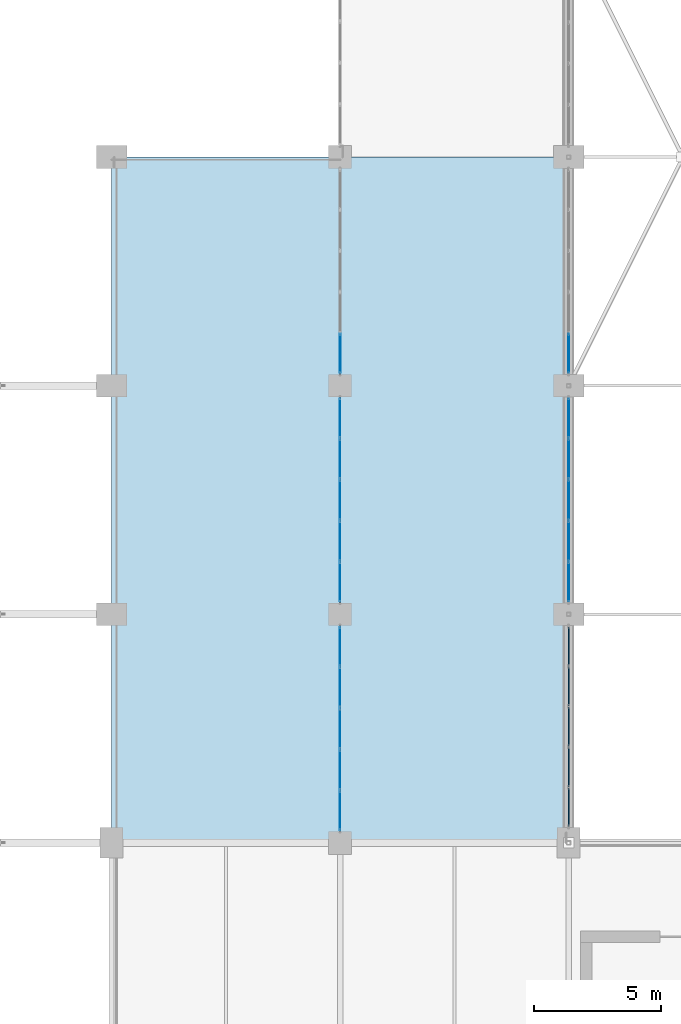
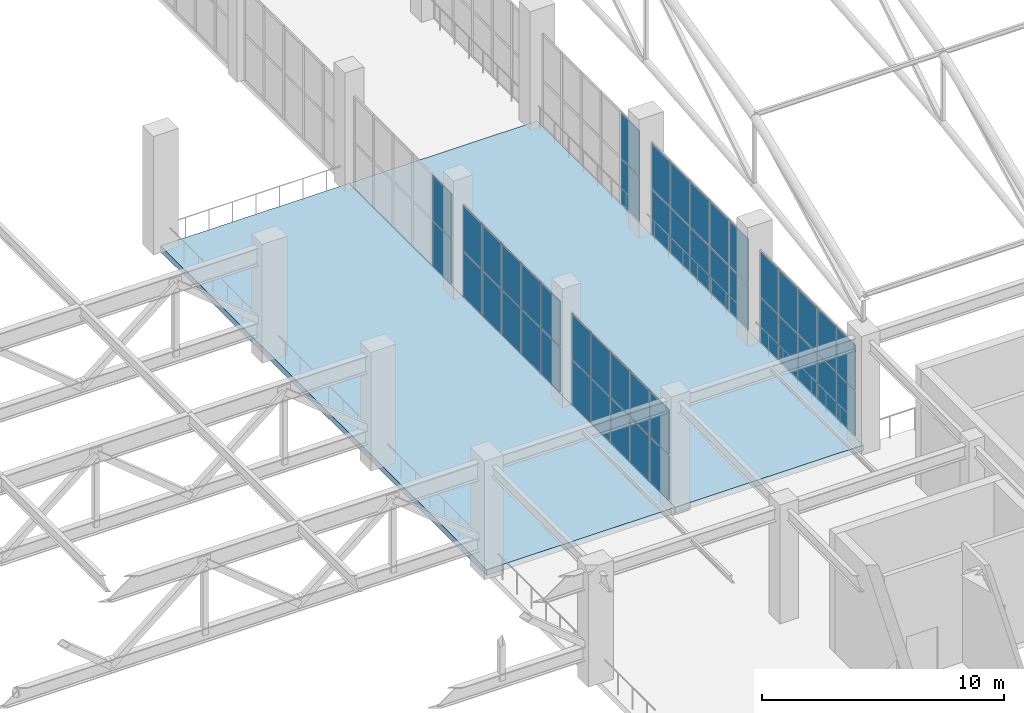
# One storey, part 172 of 223: 44 plates, 2 slabs, 6 elements without a shape of their own.
"""IFC4 building model written with IfcOpenShell, lengths in metres."""

from ifc_helpers import new_model, si_unit, direction, frame, origin, origin_2d, place, context, subcontext, project, spatial, polyline, rectangle, outline, extrude, material, layer, layer_set, type_object, element, aggregate, save


model = new_model("IFC4")

# Units and contexts
model_context = context("Model", 3, precision=1e-05, world=origin(), true_north=direction((0.0, 1.0)))
body_context = subcontext(model_context, "Body", "Model", "MODEL_VIEW")
ifc_project = project(units=[si_unit("LENGTHUNIT", "METRE"), si_unit("AREAUNIT", "SQUARE_METRE"), si_unit("VOLUMEUNIT", "CUBIC_METRE"), si_unit("PLANEANGLEUNIT", "RADIAN"), si_unit("MASSUNIT", "GRAM", prefix="KILO")], contexts=[model_context])

# Site, building, storey
site_placement = place(None, origin())
site = spatial("IfcSite", under=ifc_project, at=site_placement, CompositionType="ELEMENT")
building_placement = place(site_placement, origin())
building = spatial("IfcBuilding", under=site, at=building_placement, Name="Dornveld Trade and Exhibition Forum", CompositionType="ELEMENT")
storey_placement = place(building_placement, frame((0.0, 0.0, 6.0)))
storey = spatial("IfcBuildingStorey", under=building, at=storey_placement, Name="L01", CompositionType="ELEMENT", Elevation=6.0)

# Curtain wall, plates
ifc_material_1 = material(Name="Dark-bronze anodised aluminium and low-E glass", Category="aluminium")
ifc_layer_1 = layer(ifc_material_1, 0.172119140625)
ifc_layer_set_1 = layer_set([ifc_layer_1], Name="Dark-bronze anodised aluminium and low-E glass")
curtain_wall_type_1 = type_object("IfcCurtainWallType", Name="CW-SYS-10", PredefinedType="USERDEFINED", material=ifc_layer_set_1)
curtain_wall_1_placement = place(storey_placement, origin())
curtain_wall_1 = element("IfcCurtainWall", 1, at=curtain_wall_1_placement, inside=storey, type_object=curtain_wall_type_1, Name="L01 unitised curtain wall 10", ObjectType="UNITISED_CURTAIN_WALL", PredefinedType="USERDEFINED")
ifc_material_2 = material(Name="Double-glazed low-E solar control glass", Category="glass")
ifc_layer_2 = layer(ifc_material_2, 0.028076171875)
ifc_layer_set_2 = layer_set([ifc_layer_2], Name="Double-glazed low-E solar control glass")
plate_type_1 = type_object("IfcPlateType", Name="CW-PNL-02", PredefinedType="CURTAIN_PANEL", material=ifc_layer_set_2)
plate_1_placement = place(storey_placement, frame((99.0, 124.728271484375, 0.05615234375), z_axis=(0.0, 0.0, 1.0), x_axis=(0.0, -1.0, 0.0)))
plate_1 = element("IfcPlate", 2, at=plate_1_placement, type_object=plate_type_1, Name="CW-10 panel 1.1", PredefinedType="CURTAIN_PANEL", context=body_context, shape_type="SweptSolid", body=[
    extrude(rectangle(XDim=1.531494140625, YDim=0.028076171875, at=origin_2d()), origin(), (0.0, 0.0, 1.0), 2.261962890625),
])
plate_2_placement = place(storey_placement, frame((99.0, 124.728271484375, 2.3779296875), z_axis=(0.0, 0.0, 1.0), x_axis=(0.0, -1.0, 0.0)))
plate_2 = element("IfcPlate", 3, at=plate_2_placement, type_object=plate_type_1, Name="CW-10 panel 1.2", PredefinedType="CURTAIN_PANEL", context=body_context, shape_type="SweptSolid", body=[
    extrude(rectangle(XDim=1.531494140625, YDim=0.028076171875, at=origin_2d()), origin(), (0.0, 0.0, 1.0), 2.261962890625),
])
plate_3_placement = place(storey_placement, frame((99.0, 123.12158203125, 0.05615234375), z_axis=(0.0, 0.0, 1.0), x_axis=(0.0, -1.0, 0.0)))
plate_3 = element("IfcPlate", 4, at=plate_3_placement, type_object=plate_type_1, Name="CW-10 panel 2.1", PredefinedType="CURTAIN_PANEL", context=body_context, shape_type="SweptSolid", body=[
    extrude(rectangle(XDim=1.5615234375, YDim=0.028076171875, at=origin_2d()), origin(), (0.0, 0.0, 1.0), 2.261962890625),
])
plate_4_placement = place(storey_placement, frame((99.0, 123.12158203125, 2.3779296875), z_axis=(0.0, 0.0, 1.0), x_axis=(0.0, -1.0, 0.0)))
plate_4 = element("IfcPlate", 5, at=plate_4_placement, type_object=plate_type_1, Name="CW-10 panel 2.2", PredefinedType="CURTAIN_PANEL", context=body_context, shape_type="SweptSolid", body=[
    extrude(rectangle(XDim=1.5615234375, YDim=0.028076171875, at=origin_2d()), origin(), (0.0, 0.0, 1.0), 2.261962890625),
])
plate_5_placement = place(storey_placement, frame((99.0, 121.5, 0.05615234375), z_axis=(0.0, 0.0, 1.0), x_axis=(0.0, -1.0, 0.0)))
plate_5 = element("IfcPlate", 6, at=plate_5_placement, type_object=plate_type_1, Name="CW-10 panel 3.1", PredefinedType="CURTAIN_PANEL", context=body_context, shape_type="SweptSolid", body=[
    extrude(rectangle(XDim=1.5615234375, YDim=0.028076171875, at=origin_2d()), origin(), (0.0, 0.0, 1.0), 2.261962890625),
])
plate_6_placement = place(storey_placement, frame((99.0, 121.5, 2.3779296875), z_axis=(0.0, 0.0, 1.0), x_axis=(0.0, -1.0, 0.0)))
plate_6 = element("IfcPlate", 7, at=plate_6_placement, type_object=plate_type_1, Name="CW-10 panel 3.2", PredefinedType="CURTAIN_PANEL", context=body_context, shape_type="SweptSolid", body=[
    extrude(rectangle(XDim=1.5615234375, YDim=0.028076171875, at=origin_2d()), origin(), (0.0, 0.0, 1.0), 2.261962890625),
])
plate_7_placement = place(storey_placement, frame((99.0, 119.87841796875, 0.05615234375), z_axis=(0.0, 0.0, 1.0), x_axis=(0.0, -1.0, 0.0)))
plate_7 = element("IfcPlate", 8, at=plate_7_placement, type_object=plate_type_1, Name="CW-10 panel 4.1", PredefinedType="CURTAIN_PANEL", context=body_context, shape_type="SweptSolid", body=[
    extrude(rectangle(XDim=1.5615234375, YDim=0.028076171875, at=origin_2d()), origin(), (0.0, 0.0, 1.0), 2.261962890625),
])
plate_8_placement = place(storey_placement, frame((99.0, 119.87841796875, 2.3779296875), z_axis=(0.0, 0.0, 1.0), x_axis=(0.0, -1.0, 0.0)))
plate_8 = element("IfcPlate", 9, at=plate_8_placement, type_object=plate_type_1, Name="CW-10 panel 4.2", PredefinedType="CURTAIN_PANEL", context=body_context, shape_type="SweptSolid", body=[
    extrude(rectangle(XDim=1.5615234375, YDim=0.028076171875, at=origin_2d()), origin(), (0.0, 0.0, 1.0), 2.261962890625),
])
plate_9_placement = place(storey_placement, frame((99.0, 118.271728515625, 0.05615234375), z_axis=(0.0, 0.0, 1.0), x_axis=(0.0, -1.0, 0.0)))
plate_9 = element("IfcPlate", 10, at=plate_9_placement, type_object=plate_type_1, Name="CW-10 panel 5.1", PredefinedType="CURTAIN_PANEL", context=body_context, shape_type="SweptSolid", body=[
    extrude(rectangle(XDim=1.531494140625, YDim=0.028076171875, at=origin_2d()), origin(), (0.0, 0.0, 1.0), 2.261962890625),
])
plate_10_placement = place(storey_placement, frame((99.0, 118.271728515625, 2.3779296875), z_axis=(0.0, 0.0, 1.0), x_axis=(0.0, -1.0, 0.0)))
plate_10 = element("IfcPlate", 11, at=plate_10_placement, type_object=plate_type_1, Name="CW-10 panel 5.2", PredefinedType="CURTAIN_PANEL", context=body_context, shape_type="SweptSolid", body=[
    extrude(rectangle(XDim=1.531494140625, YDim=0.028076171875, at=origin_2d()), origin(), (0.0, 0.0, 1.0), 2.261962890625),
])
aggregate(curtain_wall_1, [plate_1, plate_2, plate_3, plate_4, plate_5, plate_6, plate_7, plate_8, plate_9, plate_10])

ifc_material_3 = material(Name="Dark-bronze anodised aluminium and low-E glass", Category="aluminium")
ifc_layer_3 = layer(ifc_material_3, 0.14794921875)
ifc_layer_set_3 = layer_set([ifc_layer_3], Name="Dark-bronze anodised aluminium and low-E glass")
curtain_wall_type_2 = type_object("IfcCurtainWallType", Name="CW-SYS-02", PredefinedType="USERDEFINED", material=ifc_layer_set_3)
curtain_wall_2_placement = place(storey_placement, origin())
curtain_wall_2 = element("IfcCurtainWall", 12, at=curtain_wall_2_placement, inside=storey, type_object=curtain_wall_type_2, Name="L01 unitised curtain wall 146", ObjectType="UNITISED_CURTAIN_WALL", PredefinedType="USERDEFINED")
plate_11_placement = place(storey_placement, frame((90.0, 115.728271484375, 0.05615234375), z_axis=(0.0, 0.0, 1.0), x_axis=(0.0, -1.0, 0.0)))
plate_11 = element("IfcPlate", 13, at=plate_11_placement, type_object=plate_type_1, Name="CW-02 panel 1.1", PredefinedType="CURTAIN_PANEL", context=body_context, shape_type="SweptSolid", body=[
    extrude(rectangle(XDim=1.531494140625, YDim=0.028076171875, at=origin_2d()), origin(), (0.0, 0.0, 1.0), 2.261962890625),
])
plate_12_placement = place(storey_placement, frame((90.0, 115.728271484375, 2.3779296875), z_axis=(0.0, 0.0, 1.0), x_axis=(0.0, -1.0, 0.0)))
plate_12 = element("IfcPlate", 14, at=plate_12_placement, type_object=plate_type_1, Name="CW-02 panel 1.2", PredefinedType="CURTAIN_PANEL", context=body_context, shape_type="SweptSolid", body=[
    extrude(rectangle(XDim=1.531494140625, YDim=0.028076171875, at=origin_2d()), origin(), (0.0, 0.0, 1.0), 2.261962890625),
])
plate_13_placement = place(storey_placement, frame((90.0, 114.12158203125, 0.05615234375), z_axis=(0.0, 0.0, 1.0), x_axis=(0.0, -1.0, 0.0)))
plate_13 = element("IfcPlate", 15, at=plate_13_placement, type_object=plate_type_1, Name="CW-02 panel 2.1", PredefinedType="CURTAIN_PANEL", context=body_context, shape_type="SweptSolid", body=[
    extrude(rectangle(XDim=1.5615234375, YDim=0.028076171875, at=origin_2d()), origin(), (0.0, 0.0, 1.0), 2.261962890625),
])
plate_14_placement = place(storey_placement, frame((90.0, 114.12158203125, 2.3779296875), z_axis=(0.0, 0.0, 1.0), x_axis=(0.0, -1.0, 0.0)))
plate_14 = element("IfcPlate", 16, at=plate_14_placement, type_object=plate_type_1, Name="CW-02 panel 2.2", PredefinedType="CURTAIN_PANEL", context=body_context, shape_type="SweptSolid", body=[
    extrude(rectangle(XDim=1.5615234375, YDim=0.028076171875, at=origin_2d()), origin(), (0.0, 0.0, 1.0), 2.261962890625),
])
plate_15_placement = place(storey_placement, frame((90.0, 112.5, 0.05615234375), z_axis=(0.0, 0.0, 1.0), x_axis=(0.0, -1.0, 0.0)))
plate_15 = element("IfcPlate", 17, at=plate_15_placement, type_object=plate_type_1, Name="CW-02 panel 3.1", PredefinedType="CURTAIN_PANEL", context=body_context, shape_type="SweptSolid", body=[
    extrude(rectangle(XDim=1.5615234375, YDim=0.028076171875, at=origin_2d()), origin(), (0.0, 0.0, 1.0), 2.261962890625),
])
plate_16_placement = place(storey_placement, frame((90.0, 112.5, 2.3779296875), z_axis=(0.0, 0.0, 1.0), x_axis=(0.0, -1.0, 0.0)))
plate_16 = element("IfcPlate", 18, at=plate_16_placement, type_object=plate_type_1, Name="CW-02 panel 3.2", PredefinedType="CURTAIN_PANEL", context=body_context, shape_type="SweptSolid", body=[
    extrude(rectangle(XDim=1.5615234375, YDim=0.028076171875, at=origin_2d()), origin(), (0.0, 0.0, 1.0), 2.261962890625),
])
plate_17_placement = place(storey_placement, frame((90.0, 110.87841796875, 0.05615234375), z_axis=(0.0, 0.0, 1.0), x_axis=(0.0, -1.0, 0.0)))
plate_17 = element("IfcPlate", 19, at=plate_17_placement, type_object=plate_type_1, Name="CW-02 panel 4.1", PredefinedType="CURTAIN_PANEL", context=body_context, shape_type="SweptSolid", body=[
    extrude(rectangle(XDim=1.5615234375, YDim=0.028076171875, at=origin_2d()), origin(), (0.0, 0.0, 1.0), 2.261962890625),
])
plate_18_placement = place(storey_placement, frame((90.0, 110.87841796875, 2.3779296875), z_axis=(0.0, 0.0, 1.0), x_axis=(0.0, -1.0, 0.0)))
plate_18 = element("IfcPlate", 20, at=plate_18_placement, type_object=plate_type_1, Name="CW-02 panel 4.2", PredefinedType="CURTAIN_PANEL", context=body_context, shape_type="SweptSolid", body=[
    extrude(rectangle(XDim=1.5615234375, YDim=0.028076171875, at=origin_2d()), origin(), (0.0, 0.0, 1.0), 2.261962890625),
])
plate_19_placement = place(storey_placement, frame((90.0, 109.271728515625, 0.05615234375), z_axis=(0.0, 0.0, 1.0), x_axis=(0.0, -1.0, 0.0)))
plate_19 = element("IfcPlate", 21, at=plate_19_placement, type_object=plate_type_1, Name="CW-02 panel 5.1", PredefinedType="CURTAIN_PANEL", context=body_context, shape_type="SweptSolid", body=[
    extrude(rectangle(XDim=1.531494140625, YDim=0.028076171875, at=origin_2d()), origin(), (0.0, 0.0, 1.0), 2.261962890625),
])
plate_20_placement = place(storey_placement, frame((90.0, 109.271728515625, 2.3779296875), z_axis=(0.0, 0.0, 1.0), x_axis=(0.0, -1.0, 0.0)))
plate_20 = element("IfcPlate", 22, at=plate_20_placement, type_object=plate_type_1, Name="CW-02 panel 5.2", PredefinedType="CURTAIN_PANEL", context=body_context, shape_type="SweptSolid", body=[
    extrude(rectangle(XDim=1.531494140625, YDim=0.028076171875, at=origin_2d()), origin(), (0.0, 0.0, 1.0), 2.261962890625),
])
aggregate(curtain_wall_2, [plate_11, plate_12, plate_13, plate_14, plate_15, plate_16, plate_17, plate_18, plate_19, plate_20])

ifc_material_4 = material(Name="Dark-bronze anodised aluminium and low-E glass", Category="aluminium")
ifc_layer_4 = layer(ifc_material_4, 0.15087890625)
ifc_layer_set_4 = layer_set([ifc_layer_4], Name="Dark-bronze anodised aluminium and low-E glass")
curtain_wall_type_3 = type_object("IfcCurtainWallType", Name="CW-SYS-03", PredefinedType="USERDEFINED", material=ifc_layer_set_4)
curtain_wall_3_placement = place(storey_placement, origin())
curtain_wall_3 = element("IfcCurtainWall", 23, at=curtain_wall_3_placement, inside=storey, type_object=curtain_wall_type_3, Name="L01 unitised curtain wall 147", ObjectType="UNITISED_CURTAIN_WALL", PredefinedType="USERDEFINED")
ifc_material_5 = material(Name="Double-glazed low-E solar control glass", Category="glass")
ifc_layer_5 = layer(ifc_material_5, 0.030029296875)
ifc_layer_set_5 = layer_set([ifc_layer_5], Name="Double-glazed low-E solar control glass")
plate_type_2 = type_object("IfcPlateType", Name="CW-PNL-03", PredefinedType="CURTAIN_PANEL", material=ifc_layer_set_5)
plate_21_placement = place(storey_placement, frame((90.0, 124.728271484375, 0.05615234375), z_axis=(0.0, 0.0, 1.0), x_axis=(0.0, -1.0, 0.0)))
plate_21 = element("IfcPlate", 24, at=plate_21_placement, type_object=plate_type_2, Name="CW-03 panel 1.1", PredefinedType="CURTAIN_PANEL", context=body_context, shape_type="SweptSolid", body=[
    extrude(rectangle(XDim=1.531494140625, YDim=0.030029296875, at=origin_2d()), origin(), (0.0, 0.0, 1.0), 2.261962890625),
])
plate_22_placement = place(storey_placement, frame((90.0, 124.728271484375, 2.3779296875), z_axis=(0.0, 0.0, 1.0), x_axis=(0.0, -1.0, 0.0)))
plate_22 = element("IfcPlate", 25, at=plate_22_placement, type_object=plate_type_2, Name="CW-03 panel 1.2", PredefinedType="CURTAIN_PANEL", context=body_context, shape_type="SweptSolid", body=[
    extrude(rectangle(XDim=1.531494140625, YDim=0.030029296875, at=origin_2d()), origin(), (0.0, 0.0, 1.0), 2.261962890625),
])
plate_23_placement = place(storey_placement, frame((90.0, 123.12158203125, 0.05615234375), z_axis=(0.0, 0.0, 1.0), x_axis=(0.0, -1.0, 0.0)))
plate_23 = element("IfcPlate", 26, at=plate_23_placement, type_object=plate_type_2, Name="CW-03 panel 2.1", PredefinedType="CURTAIN_PANEL", context=body_context, shape_type="SweptSolid", body=[
    extrude(rectangle(XDim=1.5615234375, YDim=0.030029296875, at=origin_2d()), origin(), (0.0, 0.0, 1.0), 2.261962890625),
])
plate_24_placement = place(storey_placement, frame((90.0, 123.12158203125, 2.3779296875), z_axis=(0.0, 0.0, 1.0), x_axis=(0.0, -1.0, 0.0)))
plate_24 = element("IfcPlate", 27, at=plate_24_placement, type_object=plate_type_2, Name="CW-03 panel 2.2", PredefinedType="CURTAIN_PANEL", context=body_context, shape_type="SweptSolid", body=[
    extrude(rectangle(XDim=1.5615234375, YDim=0.030029296875, at=origin_2d()), origin(), (0.0, 0.0, 1.0), 2.261962890625),
])
plate_25_placement = place(storey_placement, frame((90.0, 121.5, 0.05615234375), z_axis=(0.0, 0.0, 1.0), x_axis=(0.0, -1.0, 0.0)))
plate_25 = element("IfcPlate", 28, at=plate_25_placement, type_object=plate_type_2, Name="CW-03 panel 3.1", PredefinedType="CURTAIN_PANEL", context=body_context, shape_type="SweptSolid", body=[
    extrude(rectangle(XDim=1.5615234375, YDim=0.030029296875, at=origin_2d()), origin(), (0.0, 0.0, 1.0), 2.261962890625),
])
plate_26_placement = place(storey_placement, frame((90.0, 121.5, 2.3779296875), z_axis=(0.0, 0.0, 1.0), x_axis=(0.0, -1.0, 0.0)))
plate_26 = element("IfcPlate", 29, at=plate_26_placement, type_object=plate_type_2, Name="CW-03 panel 3.2", PredefinedType="CURTAIN_PANEL", context=body_context, shape_type="SweptSolid", body=[
    extrude(rectangle(XDim=1.5615234375, YDim=0.030029296875, at=origin_2d()), origin(), (0.0, 0.0, 1.0), 2.261962890625),
])
plate_27_placement = place(storey_placement, frame((90.0, 119.87841796875, 0.05615234375), z_axis=(0.0, 0.0, 1.0), x_axis=(0.0, -1.0, 0.0)))
plate_27 = element("IfcPlate", 30, at=plate_27_placement, type_object=plate_type_2, Name="CW-03 panel 4.1", PredefinedType="CURTAIN_PANEL", context=body_context, shape_type="SweptSolid", body=[
    extrude(rectangle(XDim=1.5615234375, YDim=0.030029296875, at=origin_2d()), origin(), (0.0, 0.0, 1.0), 2.261962890625),
])
plate_28_placement = place(storey_placement, frame((90.0, 119.87841796875, 2.3779296875), z_axis=(0.0, 0.0, 1.0), x_axis=(0.0, -1.0, 0.0)))
plate_28 = element("IfcPlate", 31, at=plate_28_placement, type_object=plate_type_2, Name="CW-03 panel 4.2", PredefinedType="CURTAIN_PANEL", context=body_context, shape_type="SweptSolid", body=[
    extrude(rectangle(XDim=1.5615234375, YDim=0.030029296875, at=origin_2d()), origin(), (0.0, 0.0, 1.0), 2.261962890625),
])
plate_29_placement = place(storey_placement, frame((90.0, 118.271728515625, 0.05615234375), z_axis=(0.0, 0.0, 1.0), x_axis=(0.0, -1.0, 0.0)))
plate_29 = element("IfcPlate", 32, at=plate_29_placement, type_object=plate_type_2, Name="CW-03 panel 5.1", PredefinedType="CURTAIN_PANEL", context=body_context, shape_type="SweptSolid", body=[
    extrude(rectangle(XDim=1.531494140625, YDim=0.030029296875, at=origin_2d()), origin(), (0.0, 0.0, 1.0), 2.261962890625),
])
plate_30_placement = place(storey_placement, frame((90.0, 118.271728515625, 2.3779296875), z_axis=(0.0, 0.0, 1.0), x_axis=(0.0, -1.0, 0.0)))
plate_30 = element("IfcPlate", 33, at=plate_30_placement, type_object=plate_type_2, Name="CW-03 panel 5.2", PredefinedType="CURTAIN_PANEL", context=body_context, shape_type="SweptSolid", body=[
    extrude(rectangle(XDim=1.531494140625, YDim=0.030029296875, at=origin_2d()), origin(), (0.0, 0.0, 1.0), 2.261962890625),
])
aggregate(curtain_wall_3, [plate_21, plate_22, plate_23, plate_24, plate_25, plate_26, plate_27, plate_28, plate_29, plate_30])

ifc_material_6 = material(Name="Dark-bronze anodised aluminium and low-E glass", Category="aluminium")
ifc_layer_6 = layer(ifc_material_6, 0.177978515625)
ifc_layer_set_6 = layer_set([ifc_layer_6], Name="Dark-bronze anodised aluminium and low-E glass")
curtain_wall_type_4 = type_object("IfcCurtainWallType", Name="CW-SYS-12", PredefinedType="USERDEFINED", material=ifc_layer_set_6)
curtain_wall_4_placement = place(storey_placement, origin())
curtain_wall_4 = element("IfcCurtainWall", 34, at=curtain_wall_4_placement, inside=storey, type_object=curtain_wall_type_4, Name="L01 unitised curtain wall 12", ObjectType="UNITISED_CURTAIN_WALL", PredefinedType="USERDEFINED")
ifc_material_7 = material(Name="Double-glazed low-E solar control glass", Category="glass")
ifc_layer_7 = layer(ifc_material_7, 0.031982421875)
ifc_layer_set_7 = layer_set([ifc_layer_7], Name="Double-glazed low-E solar control glass")
plate_type_3 = type_object("IfcPlateType", Name="CW-PNL-04", PredefinedType="CURTAIN_PANEL", material=ifc_layer_set_7)
plate_31_placement = place(storey_placement, frame((99.0, 127.271728515625, 0.05615234375), z_axis=(0.0, 0.0, 1.0), x_axis=(0.0, -1.0, 0.0)))
plate_31 = element("IfcPlate", 35, at=plate_31_placement, type_object=plate_type_3, Name="CW-12 panel 5.1", PredefinedType="CURTAIN_PANEL", context=body_context, shape_type="SweptSolid", body=[
    extrude(rectangle(XDim=1.531494140625, YDim=0.031982421875, at=origin_2d()), origin(), (0.0, 0.0, 1.0), 2.261962890625),
])
plate_32_placement = place(storey_placement, frame((99.0, 127.271728515625, 2.3779296875), z_axis=(0.0, 0.0, 1.0), x_axis=(0.0, -1.0, 0.0)))
plate_32 = element("IfcPlate", 36, at=plate_32_placement, type_object=plate_type_3, Name="CW-12 panel 5.2", PredefinedType="CURTAIN_PANEL", context=body_context, shape_type="SweptSolid", body=[
    extrude(rectangle(XDim=1.531494140625, YDim=0.031982421875, at=origin_2d()), origin(), (0.0, 0.0, 1.0), 2.261962890625),
])
aggregate(curtain_wall_4, [plate_31, plate_32])

ifc_material_8 = material(Name="Dark-bronze anodised aluminium and low-E glass", Category="aluminium")
ifc_layer_8 = layer(ifc_material_8, 0.154052734375)
ifc_layer_set_8 = layer_set([ifc_layer_8], Name="Dark-bronze anodised aluminium and low-E glass")
curtain_wall_type_5 = type_object("IfcCurtainWallType", Name="CW-SYS-04", PredefinedType="USERDEFINED", material=ifc_layer_set_8)
curtain_wall_5_placement = place(storey_placement, origin())
curtain_wall_5 = element("IfcCurtainWall", 37, at=curtain_wall_5_placement, inside=storey, type_object=curtain_wall_type_5, Name="L01 unitised curtain wall 148", ObjectType="UNITISED_CURTAIN_WALL", PredefinedType="USERDEFINED")
plate_33_placement = place(storey_placement, frame((90.0, 127.271728515625, 0.05615234375), z_axis=(0.0, 0.0, 1.0), x_axis=(0.0, -1.0, 0.0)))
plate_33 = element("IfcPlate", 38, at=plate_33_placement, type_object=plate_type_3, Name="CW-04 panel 5.1", PredefinedType="CURTAIN_PANEL", context=body_context, shape_type="SweptSolid", body=[
    extrude(rectangle(XDim=1.531494140625, YDim=0.031982421875, at=origin_2d()), origin(), (0.0, 0.0, 1.0), 2.261962890625),
])
plate_34_placement = place(storey_placement, frame((90.0, 127.271728515625, 2.3779296875), z_axis=(0.0, 0.0, 1.0), x_axis=(0.0, -1.0, 0.0)))
plate_34 = element("IfcPlate", 39, at=plate_34_placement, type_object=plate_type_3, Name="CW-04 panel 5.2", PredefinedType="CURTAIN_PANEL", context=body_context, shape_type="SweptSolid", body=[
    extrude(rectangle(XDim=1.531494140625, YDim=0.031982421875, at=origin_2d()), origin(), (0.0, 0.0, 1.0), 2.261962890625),
])
aggregate(curtain_wall_5, [plate_33, plate_34])

ifc_material_9 = material(Name="Dark-bronze anodised aluminium and low-E glass", Category="aluminium")
ifc_layer_9 = layer(ifc_material_9, 0.166015625)
ifc_layer_set_9 = layer_set([ifc_layer_9], Name="Dark-bronze anodised aluminium and low-E glass")
curtain_wall_type_6 = type_object("IfcCurtainWallType", Name="CW-SYS-08", PredefinedType="USERDEFINED", material=ifc_layer_set_9)
curtain_wall_6_placement = place(storey_placement, origin())
curtain_wall_6 = element("IfcCurtainWall", 40, at=curtain_wall_6_placement, inside=storey, type_object=curtain_wall_type_6, Name="L01 unitised curtain wall 8", ObjectType="UNITISED_CURTAIN_WALL", PredefinedType="USERDEFINED")
ifc_material_10 = material(Name="Double-glazed low-E solar control glass", Category="glass")
ifc_layer_10 = layer(ifc_material_10, 0.0400390625)
ifc_layer_set_10 = layer_set([ifc_layer_10], Name="Double-glazed low-E solar control glass")
plate_type_4 = type_object("IfcPlateType", Name="CW-PNL-08", PredefinedType="CURTAIN_PANEL", material=ifc_layer_set_10)
plate_35_placement = place(storey_placement, frame((99.0, 115.7431640625, 0.05615234375), z_axis=(0.0, 0.0, 1.0), x_axis=(0.0, -1.0, 0.0)))
plate_35 = element("IfcPlate", 41, at=plate_35_placement, type_object=plate_type_4, Name="CW-08 panel 1.1", PredefinedType="CURTAIN_PANEL", context=body_context, shape_type="SweptSolid", body=[
    extrude(rectangle(XDim=1.501708984375, YDim=0.0400390625, at=origin_2d()), origin(), (0.0, 0.0, 1.0), 2.261962890625),
])
plate_36_placement = place(storey_placement, frame((99.0, 115.7431640625, 2.3779296875), z_axis=(0.0, 0.0, 1.0), x_axis=(0.0, -1.0, 0.0)))
plate_36 = element("IfcPlate", 42, at=plate_36_placement, type_object=plate_type_4, Name="CW-08 panel 1.2", PredefinedType="CURTAIN_PANEL", context=body_context, shape_type="SweptSolid", body=[
    extrude(rectangle(XDim=1.501708984375, YDim=0.0400390625, at=origin_2d()), origin(), (0.0, 0.0, 1.0), 2.261962890625),
])
plate_37_placement = place(storey_placement, frame((99.0, 114.16650390625, 0.05615234375), z_axis=(0.0, 0.0, 1.0), x_axis=(0.0, -1.0, 0.0)))
plate_37 = element("IfcPlate", 43, at=plate_37_placement, type_object=plate_type_4, Name="CW-08 panel 2.1", PredefinedType="CURTAIN_PANEL", context=body_context, shape_type="SweptSolid", body=[
    extrude(rectangle(XDim=1.531494140625, YDim=0.0400390625, at=origin_2d()), origin(), (0.0, 0.0, 1.0), 2.261962890625),
])
plate_38_placement = place(storey_placement, frame((99.0, 114.16650390625, 2.3779296875), z_axis=(0.0, 0.0, 1.0), x_axis=(0.0, -1.0, 0.0)))
plate_38 = element("IfcPlate", 44, at=plate_38_placement, type_object=plate_type_4, Name="CW-08 panel 2.2", PredefinedType="CURTAIN_PANEL", context=body_context, shape_type="SweptSolid", body=[
    extrude(rectangle(XDim=1.531494140625, YDim=0.0400390625, at=origin_2d()), origin(), (0.0, 0.0, 1.0), 2.261962890625),
])
plate_39_placement = place(storey_placement, frame((99.0, 112.574951171875, 0.05615234375), z_axis=(0.0, 0.0, 1.0), x_axis=(0.0, -1.0, 0.0)))
plate_39 = element("IfcPlate", 45, at=plate_39_placement, type_object=plate_type_4, Name="CW-08 panel 3.1", PredefinedType="CURTAIN_PANEL", context=body_context, shape_type="SweptSolid", body=[
    extrude(rectangle(XDim=1.531494140625, YDim=0.0400390625, at=origin_2d()), origin(), (0.0, 0.0, 1.0), 2.261962890625),
])
plate_40_placement = place(storey_placement, frame((99.0, 112.574951171875, 2.3779296875), z_axis=(0.0, 0.0, 1.0), x_axis=(0.0, -1.0, 0.0)))
plate_40 = element("IfcPlate", 46, at=plate_40_placement, type_object=plate_type_4, Name="CW-08 panel 3.2", PredefinedType="CURTAIN_PANEL", context=body_context, shape_type="SweptSolid", body=[
    extrude(rectangle(XDim=1.531494140625, YDim=0.0400390625, at=origin_2d()), origin(), (0.0, 0.0, 1.0), 2.261962890625),
])
plate_41_placement = place(storey_placement, frame((99.0, 110.9833984375, 0.05615234375), z_axis=(0.0, 0.0, 1.0), x_axis=(0.0, -1.0, 0.0)))
plate_41 = element("IfcPlate", 47, at=plate_41_placement, type_object=plate_type_4, Name="CW-08 panel 4.1", PredefinedType="CURTAIN_PANEL", context=body_context, shape_type="SweptSolid", body=[
    extrude(rectangle(XDim=1.531494140625, YDim=0.0400390625, at=origin_2d()), origin(), (0.0, 0.0, 1.0), 2.261962890625),
])
plate_42_placement = place(storey_placement, frame((99.0, 110.9833984375, 2.3779296875), z_axis=(0.0, 0.0, 1.0), x_axis=(0.0, -1.0, 0.0)))
plate_42 = element("IfcPlate", 48, at=plate_42_placement, type_object=plate_type_4, Name="CW-08 panel 4.2", PredefinedType="CURTAIN_PANEL", context=body_context, shape_type="SweptSolid", body=[
    extrude(rectangle(XDim=1.531494140625, YDim=0.0400390625, at=origin_2d()), origin(), (0.0, 0.0, 1.0), 2.261962890625),
])
plate_43_placement = place(storey_placement, frame((99.0, 109.40673828125, 0.05615234375), z_axis=(0.0, 0.0, 1.0), x_axis=(0.0, -1.0, 0.0)))
plate_43 = element("IfcPlate", 49, at=plate_43_placement, type_object=plate_type_4, Name="CW-08 panel 5.1", PredefinedType="CURTAIN_PANEL", context=body_context, shape_type="SweptSolid", body=[
    extrude(rectangle(XDim=1.501708984375, YDim=0.0400390625, at=origin_2d()), origin(), (0.0, 0.0, 1.0), 2.261962890625),
])
plate_44_placement = place(storey_placement, frame((99.0, 109.40673828125, 2.3779296875), z_axis=(0.0, 0.0, 1.0), x_axis=(0.0, -1.0, 0.0)))
plate_44 = element("IfcPlate", 50, at=plate_44_placement, type_object=plate_type_4, Name="CW-08 panel 5.2", PredefinedType="CURTAIN_PANEL", context=body_context, shape_type="SweptSolid", body=[
    extrude(rectangle(XDim=1.501708984375, YDim=0.0400390625, at=origin_2d()), origin(), (0.0, 0.0, 1.0), 2.261962890625),
])
aggregate(curtain_wall_6, [plate_35, plate_36, plate_37, plate_38, plate_39, plate_40, plate_41, plate_42, plate_43, plate_44])

# Slabs
ifc_material_11 = material(Name="Precast concrete C50/60", Category="concrete")
ifc_layer_11 = layer(ifc_material_11, 0.300048828125)
ifc_layer_set_11 = layer_set([ifc_layer_11], Name="Precast concrete C50/60")
slab_type = type_object("IfcSlabType", Name="SL-CONC-300", PredefinedType="FLOOR", material=ifc_layer_set_11)
slab_1_placement = place(storey_placement, frame((0.0, 0.0, -0.300048828125)))
element("IfcSlab", 51, at=slab_1_placement, inside=storey, type_object=slab_type, Name="L01 structural slab panel 33", PredefinedType="FLOOR", context=body_context, shape_type="SweptSolid", body=[
    extrude(outline(polyline([(90.0, 108.0), (99.0, 108.0), (99.0, 135.0), (90.0, 135.0), (90.0, 108.0)])), origin(), (0.0, 0.0, 1.0), 0.300048828125),
])
slab_2_placement = place(storey_placement, frame((0.0, 0.0, -0.300048828125)))
element("IfcSlab", 52, at=slab_2_placement, inside=storey, type_object=slab_type, Name="L01 structural slab panel 40", PredefinedType="FLOOR", context=body_context, shape_type="SweptSolid", body=[
    extrude(outline(polyline([(81.0, 135.0), (90.0, 135.0), (90.0, 108.001953125), (81.0, 108.001953125), (81.0, 135.0)])), origin(), (0.0, 0.0, 1.0), 0.300048828125),
])

save(model, "model.ifc")
